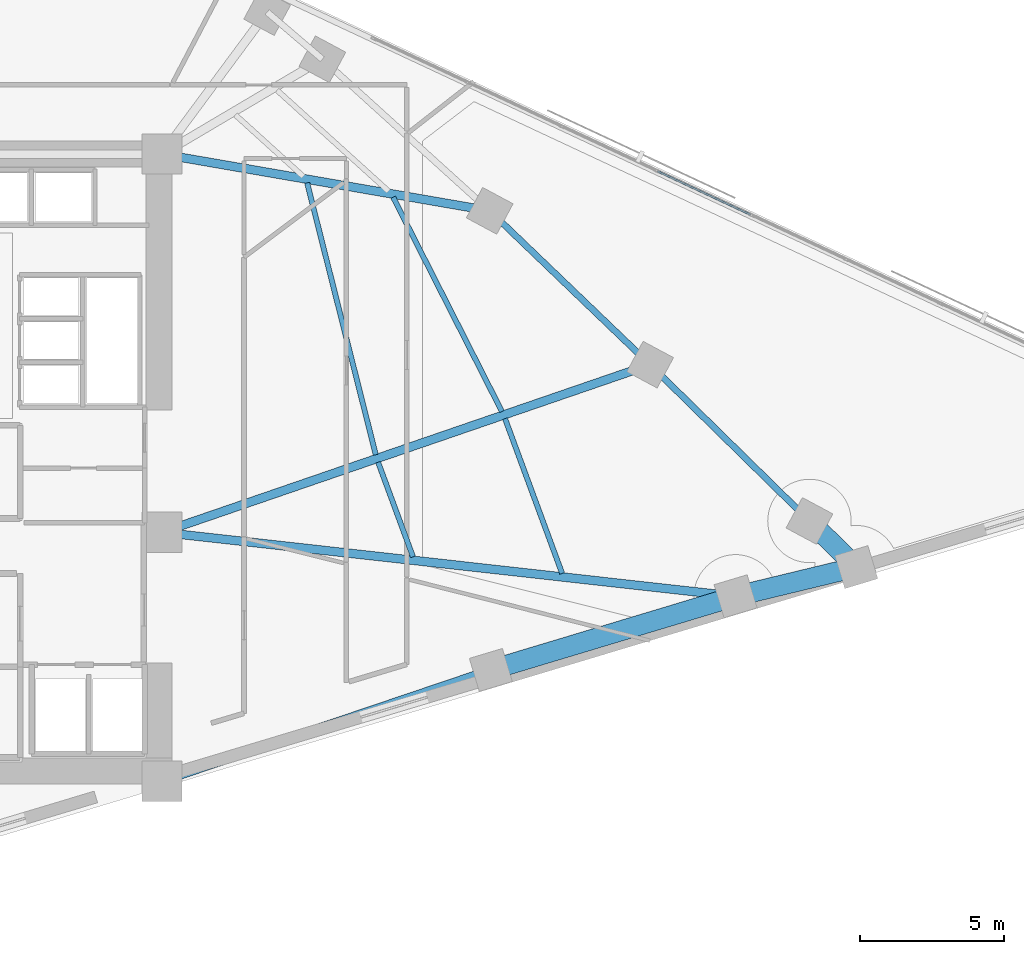
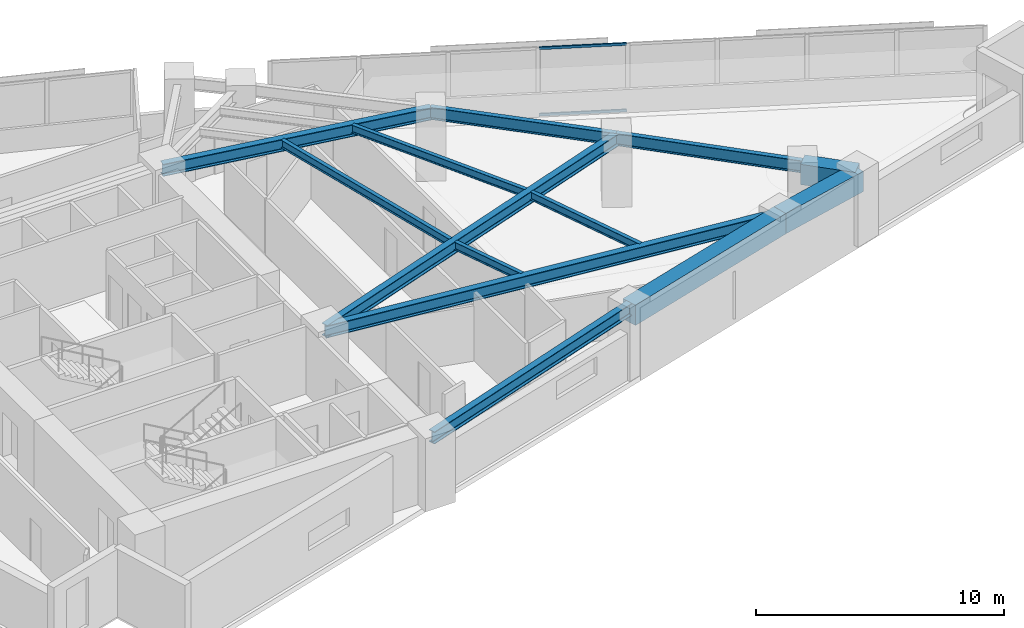
# One storey, part 3 of 14: 13 beams, 2 members, 1 element without a shape of its own.
"""IFC4 building model written with IfcOpenShell, lengths in metres."""

from ifc_helpers import new_model, si_unit, direction, frame, origin, origin_2d, place, context, subcontext, project, spatial, rectangle, hollow_rectangle, i_section, extrude, material, material_profile, profile_set, type_object, element, aggregate, save


model = new_model("IFC4")

# Units and contexts
model_context = context("Model", 3, precision=1e-05, world=origin(), true_north=direction((0.0, 1.0)))
body_context = subcontext(model_context, "Body", "Model", "MODEL_VIEW")
ifc_project = project(units=[si_unit("LENGTHUNIT", "METRE"), si_unit("AREAUNIT", "SQUARE_METRE"), si_unit("VOLUMEUNIT", "CUBIC_METRE"), si_unit("PLANEANGLEUNIT", "RADIAN"), si_unit("MASSUNIT", "GRAM", prefix="KILO")], contexts=[model_context])

# Site, building, storey
site_placement = place(None, origin())
site = spatial("IfcSite", under=ifc_project, at=site_placement, CompositionType="ELEMENT")
building_placement = place(site_placement, origin())
building = spatial("IfcBuilding", under=site, at=building_placement, Name="Narakoshi Arena Tower", CompositionType="ELEMENT")
storey_placement = place(building_placement, frame((0.0, 0.0, 135.89990234375)))
storey = spatial("IfcBuildingStorey", under=building, at=storey_placement, Name="L36", CompositionType="ELEMENT", Elevation=135.89990234375)

# Beams
ifc_material_1 = material(Name="Concrete C60/75", Category="concrete")
ifc_material_profile_1 = material_profile(ifc_material_1, rectangle(XDim=0.699951171875, YDim=1.0, at=origin_2d()), Name="RCB700x1000")
ifc_profile_set_1 = profile_set([ifc_material_profile_1], Name="Concrete C60/75")
beam_type_1 = type_object("IfcBeamType", Name="BM-CPL-1000", PredefinedType="BEAM", material=ifc_profile_set_1)
beam_1_placement = place(storey_placement, frame((96.984619140625, 38.565185546875, 2.840087890625), z_axis=(0.957568042752, 0.288207292585, 0.0), x_axis=(-0.288207292585, 0.957568042752, 0.0)))
element("IfcBeam", 1, at=beam_1_placement, inside=storey, type_object=beam_type_1, Name="L36 Perimeter Edge Girder 01", PredefinedType="BEAM", context=body_context, shape_type="SweptSolid", body=[
    extrude(rectangle(XDim=0.699951171875, YDim=1.0, at=origin_2d()), origin(), (0.0, 0.0, 1.0), 8.885986328125),
])
beam_2_placement = place(storey_placement, frame((105.49365234375, 41.126220703125, 2.840087890625), z_axis=(0.97211420724, 0.234507927545, 0.0), x_axis=(-0.234507927545, 0.97211420724, 0.0)))
element("IfcBeam", 2, at=beam_2_placement, inside=storey, type_object=beam_type_1, Name="L36 Perimeter Edge Girder 02", PredefinedType="BEAM", context=body_context, shape_type="SweptSolid", body=[
    extrude(rectangle(XDim=0.699951171875, YDim=1.0, at=origin_2d()), origin(), (0.0, 0.0, 1.0), 4.3193359375),
])
beam_3_placement = place(storey_placement, frame((109.692626953125, 42.13916015625, 2.840087890625), z_axis=(-0.71252416991, 0.701647566299, 0.0), x_axis=(-0.701647566299, -0.71252416991, 0.0)))
element("IfcBeam", 3, at=beam_3_placement, inside=storey, type_object=beam_type_1, Name="L36 Perimeter Edge Girder 03", PredefinedType="BEAM", context=body_context, shape_type="SweptSolid", body=[
    extrude(rectangle(XDim=0.699951171875, YDim=1.0, at=origin_2d()), origin(), (0.0, 0.0, 1.0), 2.28955078125),
])
ifc_material_2 = material(Name="Structural steel S355J2", Category="steel")
ifc_material_profile_2 = material_profile(ifc_material_2, i_section(OverallWidth=0.219970703125, OverallDepth=0.60009765625, WebThickness=0.011962890625, FlangeThickness=0.01904296875, FilletRadius=0.02392578125, at=origin_2d()), Name="IPE600")
ifc_profile_set_2 = profile_set([ifc_material_profile_2], Name="Structural steel S355J2")
beam_type_2 = type_object("IfcBeamType", Name="BM-EDGE-600", PredefinedType="BEAM", material=ifc_profile_set_2)
beam_4_placement = place(storey_placement, frame((108.061279296875, 43.74560546875, 3.0400390625), z_axis=(-0.713870487965, 0.700277749477, 0.0), x_axis=(-0.700277749477, -0.713870487965, 0.0)))
element("IfcBeam", 4, at=beam_4_placement, inside=storey, type_object=beam_type_2, Name="L36 Perimeter Edge Girder 04", PredefinedType="BEAM", context=body_context, shape_type="SweptSolid", body=[
    extrude(i_section(OverallWidth=0.219970703125, OverallDepth=0.60009765625, WebThickness=0.011962890625, FlangeThickness=0.01904296875, FilletRadius=0.02392578125, at=origin_2d()), origin(), (0.0, 0.0, 1.0), 7.75927734375),
])
beam_5_placement = place(storey_placement, frame((102.522216796875, 49.17919921875, 3.0400390625), z_axis=(-0.721767886663, 0.692135187504, 0.0), x_axis=(-0.692135187504, -0.721767886663, 0.0)))
element("IfcBeam", 5, at=beam_5_placement, inside=storey, type_object=beam_type_2, Name="L36 Perimeter Edge Girder 05", PredefinedType="BEAM", context=body_context, shape_type="SweptSolid", body=[
    extrude(i_section(OverallWidth=0.219970703125, OverallDepth=0.60009765625, WebThickness=0.011962890625, FlangeThickness=0.01904296875, FilletRadius=0.02392578125, at=origin_2d()), origin(), (0.0, 0.0, 1.0), 7.72802734375),
])
ifc_material_profile_3 = material_profile(ifc_material_2, i_section(OverallWidth=0.300048828125, OverallDepth=0.60009765625, WebThickness=0.015380859375, FlangeThickness=0.030029296875, FilletRadius=0.027099609375, at=origin_2d()), Name="HE600B")
ifc_profile_set_3 = profile_set([ifc_material_profile_3], Name="Structural steel S355J2")
beam_type_3 = type_object("IfcBeamType", Name="BM-PRI-600", PredefinedType="BEAM", material=ifc_profile_set_3)
beam_6_placement = place(storey_placement, frame((85.550048828125, 34.699951171875, 3.0400390625), z_axis=(0.947339879376, 0.32022984393, 0.0), x_axis=(-0.32022984393, 0.947339879376, 0.0)))
element("IfcBeam", 6, at=beam_6_placement, inside=storey, type_object=beam_type_3, Name="L36 Radial Primary Floor Girder 01", PredefinedType="BEAM", context=body_context, shape_type="SweptSolid", body=[
    extrude(i_section(OverallWidth=0.300048828125, OverallDepth=0.60009765625, WebThickness=0.015380859375, FlangeThickness=0.030029296875, FilletRadius=0.027099609375, at=origin_2d()), origin(), (0.0, 0.0, 1.0), 12.070068359375),
])
beam_7_placement = place(storey_placement, frame((85.550048828125, 43.35009765625, 3.0400390625), z_axis=(0.99384033484, -0.110821427733, 0.0), x_axis=(0.110821427733, 0.99384033484, 0.0)))
element("IfcBeam", 7, at=beam_7_placement, inside=storey, type_object=beam_type_3, Name="L36 Radial Primary Floor Girder 02", PredefinedType="BEAM", context=body_context, shape_type="SweptSolid", body=[
    extrude(i_section(OverallWidth=0.300048828125, OverallDepth=0.60009765625, WebThickness=0.015380859375, FlangeThickness=0.030029296875, FilletRadius=0.027099609375, at=origin_2d()), origin(), (0.0, 0.0, 1.0), 20.067138671875),
])
beam_8_placement = place(storey_placement, frame((85.550048828125, 43.35009765625, 3.0400390625), z_axis=(0.945773611909, 0.324826530653, 0.0), x_axis=(-0.324826530653, 0.945773611909, 0.0)))
element("IfcBeam", 8, at=beam_8_placement, inside=storey, type_object=beam_type_3, Name="L36 Radial Primary Floor Girder 05", PredefinedType="BEAM", context=body_context, shape_type="SweptSolid", body=[
    extrude(i_section(OverallWidth=0.300048828125, OverallDepth=0.60009765625, WebThickness=0.015380859375, FlangeThickness=0.030029296875, FilletRadius=0.027099609375, at=origin_2d()), origin(), (0.0, 0.0, 1.0), 17.9453125),
])
beam_9_placement = place(storey_placement, frame((85.550048828125, 56.5, 3.0400390625), z_axis=(0.985352893735, -0.170527636492, 0.0), x_axis=(0.170527636492, 0.985352893735, 0.0)))
element("IfcBeam", 9, at=beam_9_placement, inside=storey, type_object=beam_type_3, Name="L36 Radial Primary Floor Girder 06", PredefinedType="BEAM", context=body_context, shape_type="SweptSolid", body=[
    extrude(i_section(OverallWidth=0.300048828125, OverallDepth=0.60009765625, WebThickness=0.015380859375, FlangeThickness=0.030029296875, FilletRadius=0.027099609375, at=origin_2d()), origin(), (0.0, 0.0, 1.0), 11.563720703125),
])
ifc_material_profile_4 = material_profile(ifc_material_2, i_section(OverallWidth=0.179931640625, OverallDepth=0.39990234375, WebThickness=0.008544921875, FlangeThickness=0.013427734375, FilletRadius=0.02099609375, at=origin_2d()), Name="IPE400")
ifc_profile_set_4 = profile_set([ifc_material_profile_4], Name="Structural steel S355J2")
beam_type_4 = type_object("IfcBeamType", Name="BM-SEC-400", PredefinedType="JOIST", material=ifc_profile_set_4)
beam_10_placement = place(storey_placement, frame((94.278564453125, 42.498046875, 3.14013671875), z_axis=(-0.346205363588, 0.938158753209, 0.0), x_axis=(-0.938158753209, -0.346205363588, 0.0)))
element("IfcBeam", 10, at=beam_10_placement, inside=storey, type_object=beam_type_4, Name="L36 Composite Secondary Floor Joist 01", PredefinedType="JOIST", context=body_context, shape_type="SweptSolid", body=[
    extrude(i_section(OverallWidth=0.179931640625, OverallDepth=0.39990234375, WebThickness=0.008544921875, FlangeThickness=0.013427734375, FilletRadius=0.02099609375, at=origin_2d()), origin(), (0.0, 0.0, 1.0), 3.5068359375),
])
beam_11_placement = place(storey_placement, frame((99.4638671875, 41.919921875, 3.14013671875), z_axis=(-0.346162694079, 0.938174498283, 0.0), x_axis=(-0.938174498283, -0.346162694079, 0.0)))
element("IfcBeam", 11, at=beam_11_placement, inside=storey, type_object=beam_type_4, Name="L36 Composite Secondary Floor Joist 02", PredefinedType="JOIST", context=body_context, shape_type="SweptSolid", body=[
    extrude(i_section(OverallWidth=0.179931640625, OverallDepth=0.39990234375, WebThickness=0.008544921875, FlangeThickness=0.013427734375, FilletRadius=0.02099609375, at=origin_2d()), origin(), (0.0, 0.0, 1.0), 5.73876953125),
])
beam_12_placement = place(storey_placement, frame((92.984619140625, 46.0458984375, 3.14013671875), z_axis=(-0.244855712668, 0.969559528845, 0.0), x_axis=(-0.969559528845, -0.244855712668, 0.0)))
element("IfcBeam", 12, at=beam_12_placement, inside=storey, type_object=beam_type_4, Name="L36 Composite Secondary Floor Joist 03", PredefinedType="JOIST", context=body_context, shape_type="SweptSolid", body=[
    extrude(i_section(OverallWidth=0.179931640625, OverallDepth=0.39990234375, WebThickness=0.008544921875, FlangeThickness=0.013427734375, FilletRadius=0.02099609375, at=origin_2d()), origin(), (0.0, 0.0, 1.0), 9.75244140625),
])
beam_13_placement = place(storey_placement, frame((97.369384765625, 47.55078125, 3.14013671875), z_axis=(-0.452757777171, 0.891633554332, 0.0), x_axis=(-0.891633554332, -0.452757777171, 0.0)))
element("IfcBeam", 13, at=beam_13_placement, inside=storey, type_object=beam_type_4, Name="L36 Composite Secondary Floor Joist 04", PredefinedType="JOIST", context=body_context, shape_type="SweptSolid", body=[
    extrude(i_section(OverallWidth=0.179931640625, OverallDepth=0.39990234375, WebThickness=0.008544921875, FlangeThickness=0.013427734375, FilletRadius=0.02099609375, at=origin_2d()), origin(), (0.0, 0.0, 1.0), 8.353759765625),
])

# Curtain wall, members
ifc_material_3 = material(Name="Anodised bronze aluminium 6063-T6", Category="aluminium")
curtain_wall_type = type_object("IfcCurtainWallType", Name="CW-HYP-MID", PredefinedType="NOTDEFINED", material=ifc_material_3)
curtain_wall_placement = place(storey_placement, origin())
curtain_wall = element("IfcCurtainWall", 14, at=curtain_wall_placement, inside=storey, type_object=curtain_wall_type, Name="L36 Folded Hypotenuse Curtain Wall 1-1", PredefinedType="NOTDEFINED")
ifc_material_profile_5 = material_profile(ifc_material_3, hollow_rectangle(XDim=0.06494140625, YDim=0.1298828125, WallThickness=0.00390625, OuterFilletRadius=0.0048828125, at=origin_2d()), Name="TRN130x65x4")
ifc_profile_set_5 = profile_set([ifc_material_profile_5], Name="Anodised bronze aluminium 6063-T6")
member_type = type_object("IfcMemberType", Name="MEM-TRN-130", PredefinedType="USERDEFINED", material=ifc_profile_set_5)
member_1_placement = place(storey_placement, frame((106.008056640625, 54.39404296875, 0.03271484375), z_axis=(-0.905863892755, 0.42356889381, 0.0), x_axis=(-0.42356889381, -0.905863892755, 0.0)))
member_1 = element("IfcMember", 15, at=member_1_placement, type_object=member_type, Name="CW-02 transom 5.1", ObjectType="TRANSOM", PredefinedType="USERDEFINED", context=body_context, shape_type="SweptSolid", body=[
    extrude(hollow_rectangle(XDim=0.06494140625, YDim=0.1298828125, WallThickness=0.00390625, OuterFilletRadius=0.0048828125, at=origin_2d()), origin(), (0.0, 0.0, 1.0), 3.55859375),
])
member_2_placement = place(storey_placement, frame((106.008056640625, 54.39404296875, 3.3076171875), z_axis=(-0.905863892755, 0.42356889381, 0.0), x_axis=(-0.42356889381, -0.905863892755, 0.0)))
member_2 = element("IfcMember", 16, at=member_2_placement, type_object=member_type, Name="CW-02 transom 5.2", ObjectType="TRANSOM", PredefinedType="USERDEFINED", context=body_context, shape_type="SweptSolid", body=[
    extrude(hollow_rectangle(XDim=0.06494140625, YDim=0.1298828125, WallThickness=0.00390625, OuterFilletRadius=0.0048828125, at=origin_2d()), origin(), (0.0, 0.0, 1.0), 3.55859375),
])
aggregate(curtain_wall, [member_1, member_2])

save(model, "model.ifc")
